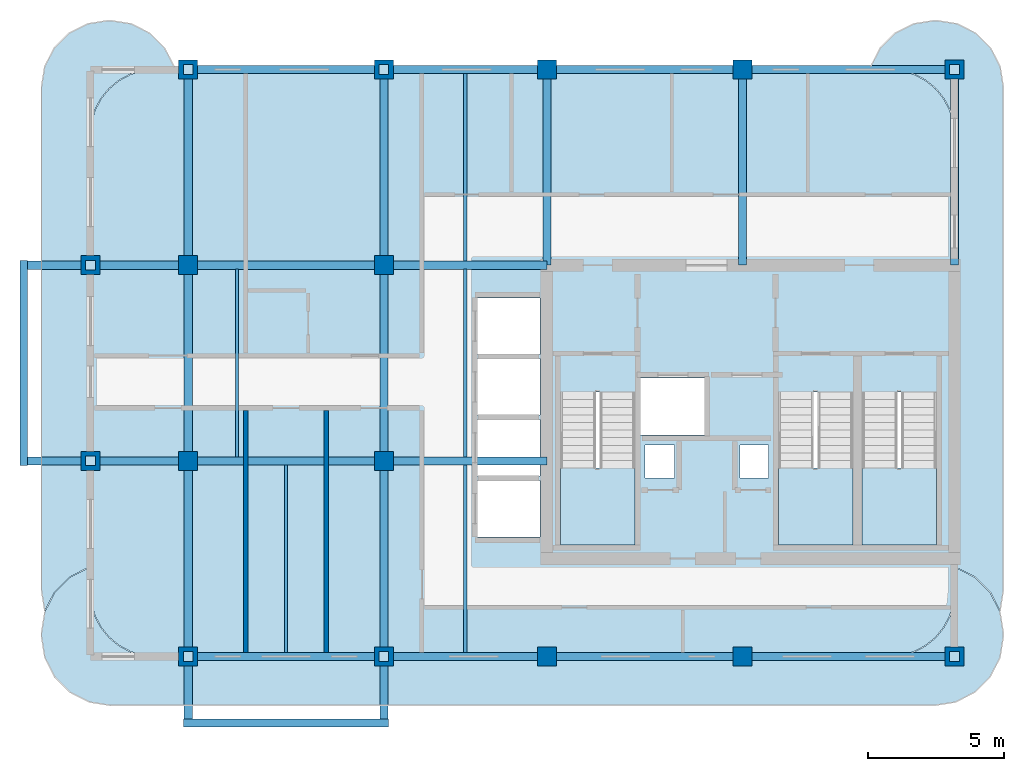
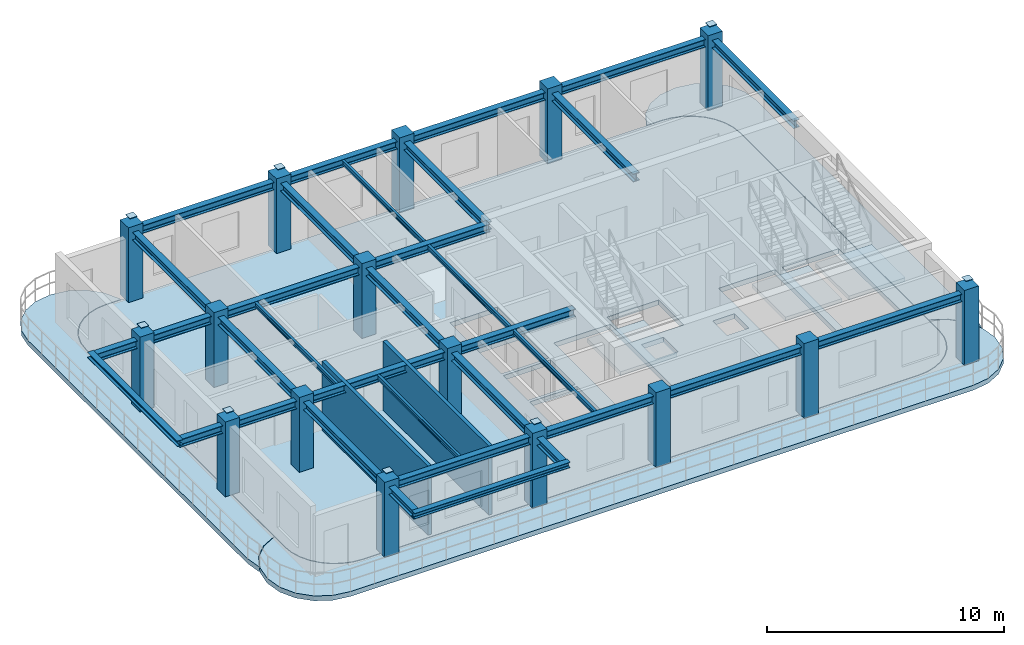
# One storey, part 1 of 7: 28 beams, 16 columns, 8 plates, 7 slabs, 2 walls, 3 elements without a shape of their own.
"""IFC4 building model written with IfcOpenShell, lengths in metres."""

from ifc_helpers import new_model, si_unit, derived_unit, direction, frame, frame_2d, origin, origin_2d, place, context, subcontext, project, spatial, polyline, rectangle, i_section, outline, extrude, source, transform, mapped, material, layer, layer_set, material_profile, profile_set, type_object, type_shapes, element, aggregate, save


model = new_model("IFC4")

# Units and contexts
model_context = context("Model", 3, precision=1e-05, world=origin(), true_north=direction((0.0, 1.0)))
body_context = subcontext(model_context, "Body", "Model", "MODEL_VIEW")
ifc_project = project(units=[si_unit("LENGTHUNIT", "METRE"), si_unit("AREAUNIT", "SQUARE_METRE"), si_unit("VOLUMEUNIT", "CUBIC_METRE"), si_unit("PLANEANGLEUNIT", "RADIAN"), si_unit("MASSUNIT", "GRAM", prefix="KILO"), si_unit("THERMODYNAMICTEMPERATUREUNIT", "KELVIN"), si_unit("POWERUNIT", "WATT"), derived_unit("THERMALTRANSMITTANCEUNIT", [(si_unit("POWERUNIT", "WATT"), 1), (si_unit("AREAUNIT", "SQUARE_METRE"), -1), (si_unit("THERMODYNAMICTEMPERATUREUNIT", "KELVIN"), -1)])], contexts=[model_context])

# Site, building, storey
site_placement = place(None, origin())
site = spatial("IfcSite", under=ifc_project, at=site_placement, CompositionType="ELEMENT")
building_placement = place(site_placement, origin())
building = spatial("IfcBuilding", under=site, at=building_placement, Name="Zahravan Archway Hotel and Residences", CompositionType="ELEMENT")
storey_placement = place(building_placement, frame((0.0, 0.0, 290.449951171875)))
storey = spatial("IfcBuildingStorey", under=building, at=storey_placement, Name="L73", CompositionType="ELEMENT", Elevation=290.449951171875)

# Columns
ifc_material_1 = material(Name="Concrete C50/60", Category="concrete")
ifc_material_profile_1 = material_profile(ifc_material_1, rectangle(XDim=0.699951171875, YDim=0.699951171875, at=origin_2d()), Name="RC-COL-700x700", Category="concrete")
ifc_profile_set_1 = profile_set([ifc_material_profile_1], Name="Concrete C50/60")
column_type = type_object("IfcColumnType", Name="COL-RC-700", PredefinedType="COLUMN", material=ifc_profile_set_1)
shared_shape_1 = source(origin(), body_context, "Body", "SweptSolid", [
    extrude(rectangle(XDim=0.699951171875, YDim=0.699951171875, at=origin_2d()), origin(), (0.0, 0.0, 1.0), 3.85009765625),
])
for number, where, z_axis, x_axis, name in (
    (1, (21.60009765625, 0.0, 0.0), (0.0, 0.0, 1.0), (1.0, 0.0, 0.0), "L73 Column 4-A"),
    (2, (21.60009765625, 7.199951171875, 0.0), (0.0, 0.0, 1.0), (1.0, 0.0, 0.0), "L73 Column 4-B"),
    (3, (21.60009765625, 14.39990234375, 0.0), (0.0, 0.0, 1.0), (1.0, 0.0, 0.0), "L73 Column 4-C"),
    (4, (21.60009765625, 21.60009765625, 0.0), (0.0, 0.0, 1.0), (1.0, 0.0, 0.0), "L73 Column 4-D"),
    (5, (28.800048828125, 0.0, 0.0), (0.0, 0.0, 1.0), (1.0, 0.0, 0.0), "L73 Column 5-A"),
    (6, (28.800048828125, 7.199951171875, 0.0), (0.0, 0.0, 1.0), (1.0, 0.0, 0.0), "L73 Column 5-B"),
    (7, (28.800048828125, 14.39990234375, 0.0), (0.0, 0.0, 1.0), (1.0, 0.0, 0.0), "L73 Column 5-C"),
    (8, (28.800048828125, 21.60009765625, 0.0), (0.0, 0.0, 1.0), (1.0, 0.0, 0.0), "L73 Column 5-D"),
    (9, (34.800048828125, 0.0, 0.0), (0.0, 0.0, 1.0), (1.0, 0.0, 0.0), "L73 Column 6-A"),
    (10, (34.800048828125, 21.60009765625, 0.0), (0.0, 0.0, 1.0), (1.0, 0.0, 0.0), "L73 Column 6-D"),
    (11, (42.0, 0.0, 0.0), (0.0, 0.0, 1.0), (1.0, 0.0, 0.0), "L73 Column 7-A"),
    (12, (42.0, 21.60009765625, 0.0), (0.0, 0.0, 1.0), (1.0, 0.0, 0.0), "L73 Column 7-D"),
    (13, (49.800048828125, 0.0, 0.0), (0.0, 0.0, 1.0), (1.0, 0.0, 0.0), "L73 Column 8-A"),
    (14, (49.800048828125, 21.60009765625, 0.0), (0.0, 0.0, 1.0), (1.0, 0.0, 0.0), "L73 Column 8-D"),
    (15, (18.0, 7.199951171875, 0.0), (0.0, 0.0, 1.0), (1.0, 0.0, 0.0), "L73 Column 3W-B"),
    (16, (18.0, 14.39990234375, 0.0), (0.0, 0.0, 1.0), (1.0, 0.0, 0.0), "L73 Column 3W-C"),
):
    element("IfcColumn", number, at=place(storey_placement, frame(where, z_axis=z_axis, x_axis=x_axis)), inside=storey, type_object=column_type, Name=name, PredefinedType="COLUMN", context=body_context, shape_type="MappedRepresentation", body=[
        mapped(shared_shape_1, transform((0.0, 0.0, 0.0), scale=1.0)),
    ])

# Beams
ifc_material_2 = material(Name="Structural Steel S355JR", Category="steel")
ifc_material_profile_2 = material_profile(ifc_material_2, i_section(OverallWidth=0.280029296875, OverallDepth=0.280029296875, WebThickness=0.010498046875, FlangeThickness=0.01806640625, FilletRadius=0.02392578125, at=origin_2d()), Name="HEB 280", Category="steel")
ifc_profile_set_2 = profile_set([ifc_material_profile_2], Name="Structural Steel S355JR")
beam_type_1 = type_object("IfcBeamType", Name="BM-SPN-HEB280", PredefinedType="SPANDREL", material=ifc_profile_set_2)
shared_shape_2 = source(origin(), body_context, "Body", "SweptSolid", [
    extrude(i_section(OverallWidth=0.280029296875, OverallDepth=0.280029296875, WebThickness=0.010498046875, FlangeThickness=0.01806640625, FilletRadius=0.02392578125, at=origin_2d()), origin(), (0.0, 0.0, 1.0), 7.56005859375),
])
type_shapes(beam_type_1, [shared_shape_2])
for number, where, z_axis, x_axis, name in (
    (17, (15.550048828125, 7.02001953125, 3.41015625), (0.0, 1.0, 0.0), (-1.0, 0.0, 0.0), "L74 WA Balcony Edge Spandrel"),
    (18, (21.419921875, -2.449951171875, 3.41015625), (1.0, 0.0, 0.0), (0.0, 1.0, 0.0), "L74 SA Balcony Edge Spandrel"),
):
    element("IfcBeam", number, at=place(storey_placement, frame(where, z_axis=z_axis, x_axis=x_axis)), inside=storey, type_object=beam_type_1, Name=name, PredefinedType="SPANDREL", context=body_context, shape_type="MappedRepresentation", body=[
        mapped(shared_shape_2, transform((0.0, 0.0, 0.0), scale=1.0)),
    ])
ifc_material_profile_3 = material_profile(ifc_material_2, i_section(OverallWidth=0.300048828125, OverallDepth=0.39990234375, WebThickness=0.013427734375, FlangeThickness=0.02392578125, FilletRadius=0.027099609375, at=origin_2d()), Name="HEB 400", Category="steel")
ifc_profile_set_3 = profile_set([ifc_material_profile_3], Name="Structural Steel S355JR")
beam_type_2 = type_object("IfcBeamType", Name="BM-PRI-HEB400", PredefinedType="BEAM", material=ifc_profile_set_3)
shared_shape_3 = source(origin(), body_context, "Body", "SweptSolid", [
    extrude(i_section(OverallWidth=0.300048828125, OverallDepth=0.39990234375, WebThickness=0.013427734375, FlangeThickness=0.02392578125, FilletRadius=0.027099609375, at=origin_2d()), origin(), (0.0, 0.0, 1.0), 7.199951171875),
])
type_shapes(beam_type_2, [shared_shape_3])
for number, where, z_axis, x_axis, name in (
    (19, (21.60009765625, 0.0, 3.35009765625), (1.0, 0.0, 0.0), (0.0, 1.0, 0.0), "L73 Primary Girder EW-01"),
    (20, (34.800048828125, 0.0, 3.35009765625), (1.0, 0.0, 0.0), (0.0, 1.0, 0.0), "L73 Primary Girder EW-03"),
    (21, (21.60009765625, 21.60009765625, 3.35009765625), (1.0, 0.0, 0.0), (0.0, 1.0, 0.0), "L73 Primary Girder EW-09"),
    (22, (34.800048828125, 21.60009765625, 3.35009765625), (1.0, 0.0, 0.0), (0.0, 1.0, 0.0), "L73 Primary Girder EW-11"),
    (23, (21.60009765625, 7.199951171875, 3.35009765625), (0.0, 1.0, 0.0), (-1.0, 0.0, 0.0), "L73 Primary Girder NS-14"),
    (24, (28.800048828125, 7.199951171875, 3.35009765625), (0.0, 1.0, 0.0), (-1.0, 0.0, 0.0), "L73 Primary Girder NS-17"),
):
    element("IfcBeam", number, at=place(storey_placement, frame(where, z_axis=z_axis, x_axis=x_axis)), inside=storey, type_object=beam_type_2, Name=name, PredefinedType="BEAM", context=body_context, shape_type="MappedRepresentation", body=[
        mapped(shared_shape_3, transform((0.0, 0.0, 0.0), scale=1.0)),
    ])
shared_shape_4 = source(origin(), body_context, "Body", "SweptSolid", [
    extrude(i_section(OverallWidth=0.300048828125, OverallDepth=0.39990234375, WebThickness=0.013427734375, FlangeThickness=0.02392578125, FilletRadius=0.027099609375, at=origin_2d()), origin(), (0.0, 0.0, 1.0), 6.0),
])
for number, where, z_axis, x_axis, name in (
    (25, (28.800048828125, 0.0, 3.35009765625), (1.0, 0.0, 0.0), (0.0, 1.0, 0.0), "L73 Primary Girder EW-02"),
    (26, (28.800048828125, 7.199951171875, 3.35009765625), (1.0, 0.0, 0.0), (0.0, 1.0, 0.0), "L73 Primary Girder EW-06"),
    (27, (28.800048828125, 14.39990234375, 3.35009765625), (1.0, 0.0, 0.0), (0.0, 1.0, 0.0), "L73 Primary Girder EW-08"),
    (28, (28.800048828125, 21.60009765625, 3.35009765625), (1.0, 0.0, 0.0), (0.0, 1.0, 0.0), "L73 Primary Girder EW-10"),
):
    element("IfcBeam", number, at=place(storey_placement, frame(where, z_axis=z_axis, x_axis=x_axis)), inside=storey, type_object=beam_type_2, Name=name, PredefinedType="BEAM", context=body_context, shape_type="MappedRepresentation", body=[
        mapped(shared_shape_4, transform((0.0, 0.0, 0.0), scale=1.0)),
    ])
shared_shape_5 = source(origin(), body_context, "Body", "SweptSolid", [
    extrude(i_section(OverallWidth=0.300048828125, OverallDepth=0.39990234375, WebThickness=0.013427734375, FlangeThickness=0.02392578125, FilletRadius=0.027099609375, at=origin_2d()), origin(), (0.0, 0.0, 1.0), 7.800048828125),
])
for number, where, z_axis, x_axis, name in (
    (29, (42.0, 0.0, 3.35009765625), (1.0, 0.0, 0.0), (0.0, 1.0, 0.0), "L73 Primary Girder EW-04"),
    (30, (42.0, 21.60009765625, 3.35009765625), (1.0, 0.0, 0.0), (0.0, 1.0, 0.0), "L73 Primary Girder EW-12"),
):
    element("IfcBeam", number, at=place(storey_placement, frame(where, z_axis=z_axis, x_axis=x_axis)), inside=storey, type_object=beam_type_2, Name=name, PredefinedType="BEAM", context=body_context, shape_type="MappedRepresentation", body=[
        mapped(shared_shape_5, transform((0.0, 0.0, 0.0), scale=1.0)),
    ])
shared_shape_6 = source(origin(), body_context, "Body", "SweptSolid", [
    extrude(i_section(OverallWidth=0.300048828125, OverallDepth=0.39990234375, WebThickness=0.013427734375, FlangeThickness=0.02392578125, FilletRadius=0.027099609375, at=origin_2d()), origin(), (0.0, 0.0, 1.0), 13.25),
])
for number, where, z_axis, x_axis, name in (
    (31, (15.550048828125, 7.199951171875, 3.35009765625), (1.0, 0.0, 0.0), (0.0, 1.0, 0.0), "L73 Primary Girder EW-05"),
    (32, (15.550048828125, 14.39990234375, 3.35009765625), (1.0, 0.0, 0.0), (0.0, 1.0, 0.0), "L73 Primary Girder EW-07"),
):
    element("IfcBeam", number, at=place(storey_placement, frame(where, z_axis=z_axis, x_axis=x_axis)), inside=storey, type_object=beam_type_2, Name=name, PredefinedType="BEAM", context=body_context, shape_type="MappedRepresentation", body=[
        mapped(shared_shape_6, transform((0.0, 0.0, 0.0), scale=1.0)),
    ])
shared_shape_7 = source(origin(), body_context, "Body", "SweptSolid", [
    extrude(i_section(OverallWidth=0.300048828125, OverallDepth=0.39990234375, WebThickness=0.013427734375, FlangeThickness=0.02392578125, FilletRadius=0.027099609375, at=origin_2d()), origin(), (0.0, 0.0, 1.0), 9.64990234375),
])
for number, where, z_axis, x_axis, name in (
    (33, (21.60009765625, -2.449951171875, 3.35009765625), (0.0, 1.0, 0.0), (-1.0, 0.0, 0.0), "L73 Primary Girder NS-13"),
    (34, (28.800048828125, -2.449951171875, 3.35009765625), (0.0, 1.0, 0.0), (-1.0, 0.0, 0.0), "L73 Primary Girder NS-16"),
):
    element("IfcBeam", number, at=place(storey_placement, frame(where, z_axis=z_axis, x_axis=x_axis)), inside=storey, type_object=beam_type_2, Name=name, PredefinedType="BEAM", context=body_context, shape_type="MappedRepresentation", body=[
        mapped(shared_shape_7, transform((0.0, 0.0, 0.0), scale=1.0)),
    ])
shared_shape_8 = source(origin(), body_context, "Body", "SweptSolid", [
    extrude(i_section(OverallWidth=0.300048828125, OverallDepth=0.39990234375, WebThickness=0.013427734375, FlangeThickness=0.02392578125, FilletRadius=0.027099609375, at=origin_2d()), origin(), (0.0, 0.0, 1.0), 7.2001953125),
])
for number, where, z_axis, x_axis, name in (
    (35, (21.60009765625, 14.39990234375, 3.35009765625), (0.0, 1.0, 0.0), (-1.0, 0.0, 0.0), "L73 Primary Girder NS-15"),
    (36, (28.800048828125, 14.39990234375, 3.35009765625), (0.0, 1.0, 0.0), (-1.0, 0.0, 0.0), "L73 Primary Girder NS-18"),
    (37, (34.800048828125, 14.39990234375, 3.35009765625), (0.0, 1.0, 0.0), (-1.0, 0.0, 0.0), "L73 Primary Girder NS-19"),
    (38, (42.0, 14.39990234375, 3.35009765625), (0.0, 1.0, 0.0), (-1.0, 0.0, 0.0), "L73 Primary Girder NS-20"),
    (39, (49.800048828125, 14.39990234375, 3.35009765625), (0.0, 1.0, 0.0), (-1.0, 0.0, 0.0), "L73 Primary Girder NS-21"),
):
    element("IfcBeam", number, at=place(storey_placement, frame(where, z_axis=z_axis, x_axis=x_axis)), inside=storey, type_object=beam_type_2, Name=name, PredefinedType="BEAM", context=body_context, shape_type="MappedRepresentation", body=[
        mapped(shared_shape_8, transform((0.0, 0.0, 0.0), scale=1.0)),
    ])
ifc_material_profile_4 = material_profile(ifc_material_2, i_section(OverallWidth=0.1201171875, OverallDepth=0.239990234375, WebThickness=0.006103515625, FlangeThickness=0.009765625, FilletRadius=0.014892578125, at=origin_2d()), Name="IPE 240", Category="steel")
ifc_profile_set_4 = profile_set([ifc_material_profile_4], Name="Structural Steel S355JR")
beam_type_3 = type_object("IfcBeamType", Name="BM-JST-IPE240", PredefinedType="JOIST", material=ifc_profile_set_4)
shared_shape_9 = source(origin(), body_context, "Body", "SweptSolid", [
    extrude(i_section(OverallWidth=0.1201171875, OverallDepth=0.239990234375, WebThickness=0.006103515625, FlangeThickness=0.009765625, FilletRadius=0.014892578125, at=origin_2d()), origin(), (0.0, 0.0, 1.0), 6.904052734375),
])
type_shapes(beam_type_3, [shared_shape_9])
for number, where, z_axis, x_axis, name in (
    (40, (25.199951171875, 0.14794921875, 3.429931640625), (0.0, 1.0, 0.0), (-1.0, 0.0, 0.0), "L73 Composite Floor Joist 01"),
    (41, (31.800048828125, 0.14794921875, 3.429931640625), (0.0, 1.0, 0.0), (-1.0, 0.0, 0.0), "L73 Composite Floor Joist 02"),
    (42, (23.39990234375, 7.347900390625, 3.429931640625), (0.0, 1.0, 0.0), (-1.0, 0.0, 0.0), "L73 Composite Floor Joist 03"),
    (43, (31.800048828125, 7.347900390625, 3.429931640625), (0.0, 1.0, 0.0), (-1.0, 0.0, 0.0), "L73 Composite Floor Joist 04"),
):
    element("IfcBeam", number, at=place(storey_placement, frame(where, z_axis=z_axis, x_axis=x_axis)), inside=storey, type_object=beam_type_3, Name=name, PredefinedType="JOIST", context=body_context, shape_type="MappedRepresentation", body=[
        mapped(shared_shape_9, transform((0.0, 0.0, 0.0), scale=1.0)),
    ])
shared_shape_10 = source(origin(), body_context, "Body", "SweptSolid", [
    extrude(i_section(OverallWidth=0.1201171875, OverallDepth=0.239990234375, WebThickness=0.006103515625, FlangeThickness=0.009765625, FilletRadius=0.014892578125, at=origin_2d()), origin(), (0.0, 0.0, 1.0), 6.90380859375),
])
beam_placement = place(storey_placement, frame((31.800048828125, 14.548095703125, 3.429931640625), z_axis=(0.0, 1.0, 0.0), x_axis=(-1.0, 0.0, 0.0)))
element("IfcBeam", 44, at=beam_placement, inside=storey, type_object=beam_type_3, Name="L73 Composite Floor Joist 05", PredefinedType="JOIST", context=body_context, shape_type="MappedRepresentation", body=[
    mapped(shared_shape_10, transform((0.0, 0.0, 0.0), scale=1.0)),
])

# Slabs
ifc_material_3 = material(Name="Concrete C45/55", Category="concrete")
ifc_layer_1 = layer(ifc_material_3, 0.25, Name="Concrete C45/55", Category="concrete")
ifc_layer_set_1 = layer_set([ifc_layer_1], Name="Concrete C45/55")
slab_type_1 = type_object("IfcSlabType", Name="SLB-BALC-250", PredefinedType="FLOOR", material=ifc_layer_set_1)
slab_1_placement = place(storey_placement, frame((0.0, 0.0, -0.25)))
element("IfcSlab", 45, at=slab_1_placement, inside=storey, type_object=slab_type_1, Name="L73 Wing A South Rounded Balcony Band", PredefinedType="FLOOR", context=body_context, shape_type="SweptSolid", body=[
    extrude(outline(polyline([(49.837890625, 3.275146484375), (50.548828125, 2.9130859375), (51.113037109375, 2.348876953125), (51.47509765625, 1.637939453125), (51.60009765625, 0.85009765625), (51.60009765625, 0.75), (51.47509765625, -0.0380859375), (51.113037109375, -0.748779296875), (50.548828125, -1.31298828125), (49.837890625, -1.67529296875), (49.050048828125, -1.800048828125), (18.75, -1.800048828125), (17.9619140625, -1.67529296875), (17.251220703125, -1.31298828125), (16.68701171875, -0.748779296875), (16.32470703125, -0.0380859375), (16.199951171875, 0.75), (16.199951171875, 0.85009765625), (16.32470703125, 1.637939453125), (16.68701171875, 2.348876953125), (17.251220703125, 2.9130859375), (17.9619140625, 3.275146484375), (17.97998046875, 3.278076171875), (17.97998046875, 2.39990234375), (17.97998046875, 2.39794921875), (18.026123046875, 1.9296875), (18.026611328125, 1.927978515625), (18.027099609375, 1.926025390625), (18.16357421875, 1.475830078125), (18.164306640625, 1.473876953125), (18.1650390625, 1.47216796875), (18.386962890625, 1.05712890625), (18.387939453125, 1.055419921875), (18.388916015625, 1.053955078125), (18.6875, 0.690185546875), (18.688720703125, 0.688720703125), (18.690185546875, 0.6875), (19.053955078125, 0.388916015625), (19.055419921875, 0.387939453125), (19.05712890625, 0.386962890625), (19.47216796875, 0.1650390625), (19.473876953125, 0.164306640625), (19.475830078125, 0.16357421875), (19.926025390625, 0.027099609375), (19.927978515625, 0.026611328125), (19.9296875, 0.026123046875), (20.39794921875, -0.02001953125), (20.39990234375, -0.02001953125), (47.39990234375, -0.02001953125), (47.402099609375, -0.02001953125), (47.8701171875, 0.026123046875), (47.8720703125, 0.026611328125), (47.8740234375, 0.027099609375), (48.32421875, 0.16357421875), (48.326171875, 0.164306640625), (48.327880859375, 0.1650390625), (48.742919921875, 0.386962890625), (48.744384765625, 0.387939453125), (48.74609375, 0.388916015625), (49.10986328125, 0.6875), (49.111083984375, 0.688720703125), (49.112548828125, 0.690185546875), (49.410888671875, 1.053955078125), (49.412109375, 1.055419921875), (49.4130859375, 1.05712890625), (49.635009765625, 1.47216796875), (49.6357421875, 1.473876953125), (49.636474609375, 1.475830078125), (49.77294921875, 1.926025390625), (49.7734375, 1.927978515625), (49.773681640625, 1.9296875), (49.81982421875, 2.39794921875), (49.820068359375, 2.39990234375), (49.820068359375, 3.278076171875), (49.837890625, 3.275146484375)])), origin(), (0.0, 0.0, 1.0), 0.25),
])
slab_2_placement = place(storey_placement, frame((0.0, 0.0, -0.25)))
element("IfcSlab", 46, at=slab_2_placement, inside=storey, type_object=slab_type_1, Name="L73 Wing A East Rounded Balcony Band", PredefinedType="FLOOR", context=body_context, shape_type="SweptSolid", body=[
    extrude(outline(polyline([(46.719970703125, 21.70703125), (47.06787109375, 22.39013671875), (47.60986328125, 22.93212890625), (48.29296875, 23.280029296875), (49.050048828125, 23.39990234375), (49.14990234375, 23.39990234375), (49.906982421875, 23.280029296875), (50.590087890625, 22.93212890625), (51.132080078125, 22.39013671875), (51.47998046875, 21.70703125), (51.60009765625, 20.949951171875), (51.60009765625, 2.449951171875), (51.47998046875, 1.69287109375), (51.474853515625, 1.6826171875), (51.130859375, 2.35791015625), (51.1298828125, 2.35986328125), (51.12841796875, 2.361572265625), (51.127197265625, 2.363037109375), (50.56298828125, 2.927001953125), (50.5615234375, 2.928466796875), (50.559814453125, 2.9296875), (50.55810546875, 2.930908203125), (49.84716796875, 3.29296875), (49.84521484375, 3.2939453125), (49.84326171875, 3.29443359375), (49.841064453125, 3.294921875), (49.822998046875, 3.2978515625), (49.8212890625, 3.298095703125), (49.820068359375, 3.298095703125), (49.820068359375, 19.199951171875), (49.81982421875, 19.201904296875), (49.773681640625, 19.670166015625), (49.7734375, 19.672119140625), (49.77294921875, 19.674072265625), (49.636474609375, 20.124267578125), (49.6357421875, 20.126220703125), (49.635009765625, 20.127685546875), (49.4130859375, 20.542724609375), (49.412109375, 20.54443359375), (49.410888671875, 20.546142578125), (49.112548828125, 20.909912109375), (49.111083984375, 20.9111328125), (49.10986328125, 20.91259765625), (48.74609375, 21.2109375), (48.744384765625, 21.212158203125), (48.742919921875, 21.213134765625), (48.327880859375, 21.434814453125), (48.326171875, 21.435791015625), (48.32421875, 21.436279296875), (47.8740234375, 21.572998046875), (47.8720703125, 21.573486328125), (47.8701171875, 21.57373046875), (47.402099609375, 21.619873046875), (47.39990234375, 21.6201171875), (46.7060546875, 21.6201171875), (46.719970703125, 21.70703125)])), origin(), (0.0, 0.0, 1.0), 0.25),
])
slab_3_placement = place(storey_placement, frame((0.0, 0.0, -0.25)))
element("IfcSlab", 47, at=slab_3_placement, inside=storey, type_object=slab_type_1, Name="L73 Wing A West Rounded Balcony Band", PredefinedType="FLOOR", context=body_context, shape_type="SweptSolid", body=[
    extrude(outline(polyline([(16.31982421875, 1.69287109375), (16.199951171875, 2.449951171875), (16.199951171875, 20.949951171875), (16.31982421875, 21.70703125), (16.66796875, 22.39013671875), (17.2099609375, 22.93212890625), (17.892822265625, 23.280029296875), (18.64990234375, 23.39990234375), (18.75, 23.39990234375), (19.507080078125, 23.280029296875), (20.190185546875, 22.93212890625), (20.732177734375, 22.39013671875), (21.080078125, 21.70703125), (21.093994140625, 21.6201171875), (20.39990234375, 21.6201171875), (20.39794921875, 21.619873046875), (19.9296875, 21.57373046875), (19.927978515625, 21.573486328125), (19.926025390625, 21.572998046875), (19.475830078125, 21.436279296875), (19.473876953125, 21.435791015625), (19.47216796875, 21.434814453125), (19.05712890625, 21.213134765625), (19.055419921875, 21.212158203125), (19.053955078125, 21.2109375), (18.690185546875, 20.91259765625), (18.688720703125, 20.9111328125), (18.6875, 20.909912109375), (18.388916015625, 20.546142578125), (18.387939453125, 20.54443359375), (18.386962890625, 20.542724609375), (18.1650390625, 20.127685546875), (18.164306640625, 20.126220703125), (18.16357421875, 20.124267578125), (18.027099609375, 19.674072265625), (18.026611328125, 19.672119140625), (18.026123046875, 19.670166015625), (17.97998046875, 19.201904296875), (17.97998046875, 19.199951171875), (17.97998046875, 3.298095703125), (17.978759765625, 3.298095703125), (17.976806640625, 3.2978515625), (17.958984375, 3.294921875), (17.956787109375, 3.29443359375), (17.954833984375, 3.2939453125), (17.952880859375, 3.29296875), (17.241943359375, 2.930908203125), (17.240234375, 2.9296875), (17.238525390625, 2.928466796875), (17.237060546875, 2.927001953125), (16.6728515625, 2.363037109375), (16.67138671875, 2.361572265625), (16.670166015625, 2.35986328125), (16.669189453125, 2.35791015625), (16.3251953125, 1.6826171875), (16.31982421875, 1.69287109375)])), origin(), (0.0, 0.0, 1.0), 0.25),
])
ifc_layer_2 = layer(ifc_material_3, 0.25, Name="Concrete C45/55", Category="concrete")
ifc_layer_set_2 = layer_set([ifc_layer_2], Name="Concrete C45/55")
slab_type_2 = type_object("IfcSlabType", Name="SLB-FLR-250", PredefinedType="FLOOR", material=ifc_layer_set_2)
slab_4_placement = place(storey_placement, frame((0.0, 0.0, -0.25)))
element("IfcSlab", 48, at=slab_4_placement, inside=storey, type_object=slab_type_2, Name="L73 Floor Slab WA", PredefinedType="FLOOR", context=body_context, shape_type="SweptSolid", body=[
    extrude(outline(polyline([(47.39990234375, 0.0), (47.8681640625, 0.046142578125), (48.318359375, 0.1826171875), (48.7333984375, 0.404541015625), (49.09716796875, 0.702880859375), (49.3955078125, 1.066650390625), (49.6171875, 1.481689453125), (49.75390625, 1.931884765625), (49.800048828125, 2.39990234375), (49.800048828125, 19.199951171875), (49.75390625, 19.668212890625), (49.6171875, 20.118408203125), (49.3955078125, 20.533447265625), (49.09716796875, 20.897216796875), (48.7333984375, 21.195556640625), (48.318359375, 21.417236328125), (47.8681640625, 21.553955078125), (47.39990234375, 21.60009765625), (20.39990234375, 21.60009765625), (19.931884765625, 21.553955078125), (19.481689453125, 21.417236328125), (19.066650390625, 21.195556640625), (18.702880859375, 20.897216796875), (18.404541015625, 20.533447265625), (18.1826171875, 20.118408203125), (18.046142578125, 19.668212890625), (18.0, 19.199951171875), (18.0, 2.39990234375), (18.046142578125, 1.931884765625), (18.1826171875, 1.481689453125), (18.404541015625, 1.066650390625), (18.702880859375, 0.702880859375), (19.066650390625, 0.404541015625), (19.481689453125, 0.1826171875), (19.931884765625, 0.046142578125), (20.39990234375, 0.0), (47.39990234375, 0.0)]), holes=[polyline([(35.300048828125, 9.72998046875), (35.300048828125, 4.10009765625), (38.0400390625, 4.10009765625), (38.0400390625, 9.72998046875), (35.300048828125, 9.72998046875)]), polyline([(43.320068359375, 9.72998046875), (43.320068359375, 4.10009765625), (46.06005859375, 4.10009765625), (46.06005859375, 9.72998046875), (43.320068359375, 9.72998046875)]), polyline([(46.39990234375, 9.72998046875), (46.39990234375, 4.10009765625), (49.139892578125, 4.10009765625), (49.139892578125, 9.72998046875), (46.39990234375, 9.72998046875)]), polyline([(38.179931640625, 8.14990234375), (40.699951171875, 8.14990234375), (40.699951171875, 10.25), (38.179931640625, 10.25), (38.179931640625, 8.14990234375)]), polyline([(32.25, 4.39990234375), (34.550048828125, 4.39990234375), (34.550048828125, 6.47998046875), (32.25, 6.47998046875), (32.25, 4.39990234375)]), polyline([(32.25, 6.639892578125), (34.550048828125, 6.639892578125), (34.550048828125, 8.719970703125), (32.25, 8.719970703125), (32.25, 6.639892578125)]), polyline([(32.25, 8.8798828125), (34.550048828125, 8.8798828125), (34.550048828125, 10.9599609375), (32.25, 10.9599609375), (32.25, 8.8798828125)]), polyline([(32.25, 11.1201171875), (34.550048828125, 11.1201171875), (34.550048828125, 13.199951171875), (32.25, 13.199951171875), (32.25, 11.1201171875)]), polyline([(38.419921875, 6.56005859375), (39.5, 6.56005859375), (39.5, 7.780029296875), (38.419921875, 7.780029296875), (38.419921875, 6.56005859375)]), polyline([(41.89990234375, 6.56005859375), (42.9599609375, 6.56005859375), (42.9599609375, 7.780029296875), (41.89990234375, 7.780029296875), (41.89990234375, 6.56005859375)])]), origin(), (0.0, 0.0, 1.0), 0.25),
])

# Stair, slab
stair_type = type_object("IfcStairType", Name="STR-CORE-1300", PredefinedType="HALF_TURN_STAIR", material=ifc_material_1)
stair_1_placement = place(storey_placement, origin())
stair_1 = element("IfcStair", 49, at=stair_1_placement, inside=storey, type_object=stair_type, Name="L73 Core A Exit Stair 1", PredefinedType="HALF_TURN_STAIR")
ifc_layer_3 = layer(ifc_material_1, 0.199951171875, Name="Concrete C50/60", Category="concrete")
ifc_layer_set_3 = layer_set([ifc_layer_3], Name="Concrete C50/60")
slab_type_3 = type_object("IfcSlabType", Name="SLB-LND-200", PredefinedType="LANDING", material=ifc_layer_set_3)
slab_5_placement = place(storey_placement, frame((0.0, 0.0, 1.72509765625)))
slab_5 = element("IfcSlab", 50, at=slab_5_placement, type_object=slab_type_3, Name="ST-A1 landing 1", PredefinedType="LANDING", context=body_context, shape_type="SweptSolid", body=[
    extrude(outline(polyline([(35.300048828125, 6.929931640625), (35.300048828125, 4.10009765625), (38.0400390625, 4.10009765625), (38.0400390625, 6.929931640625), (35.300048828125, 6.929931640625)])), origin(), (0.0, 0.0, 1.0), 0.199951171875),
])
aggregate(stair_1, [slab_5])

stair_2_placement = place(storey_placement, origin())
stair_2 = element("IfcStair", 51, at=stair_2_placement, inside=storey, type_object=stair_type, Name="L73 Core A Exit Stair 2", PredefinedType="HALF_TURN_STAIR")
slab_6_placement = place(storey_placement, frame((0.0, 0.0, 1.72509765625)))
slab_6 = element("IfcSlab", 52, at=slab_6_placement, type_object=slab_type_3, Name="ST-A2 landing 1", PredefinedType="LANDING", context=body_context, shape_type="SweptSolid", body=[
    extrude(outline(polyline([(43.320068359375, 6.929931640625), (43.320068359375, 4.10009765625), (46.06005859375, 4.10009765625), (46.06005859375, 6.929931640625), (43.320068359375, 6.929931640625)])), origin(), (0.0, 0.0, 1.0), 0.199951171875),
])
aggregate(stair_2, [slab_6])

stair_3_placement = place(storey_placement, origin())
stair_3 = element("IfcStair", 53, at=stair_3_placement, inside=storey, type_object=stair_type, Name="L73 Core A Exit Stair 3", PredefinedType="HALF_TURN_STAIR")
slab_7_placement = place(storey_placement, frame((0.0, 0.0, 1.72509765625)))
slab_7 = element("IfcSlab", 54, at=slab_7_placement, type_object=slab_type_3, Name="ST-A3 landing 1", PredefinedType="LANDING", context=body_context, shape_type="SweptSolid", body=[
    extrude(outline(polyline([(46.39990234375, 6.929931640625), (46.39990234375, 4.10009765625), (49.139892578125, 4.10009765625), (49.139892578125, 6.929931640625), (46.39990234375, 6.929931640625)])), origin(), (0.0, 0.0, 1.0), 0.199951171875),
])
aggregate(stair_3, [slab_7])

# Plates
ifc_material_4 = material(Name="Structural Steel S355J2", Category="steel")
ifc_layer_4 = layer(ifc_material_4, 0.02490234375, Name="Structural Steel S355J2", Category="steel")
ifc_layer_set_4 = layer_set([ifc_layer_4], Name="Structural Steel S355J2")
plate_type = type_object("IfcPlateType", Name="PLT-CAP-ECP1", PredefinedType="SHEET", material=ifc_layer_set_4)
shared_shape_11 = source(origin(), body_context, "Body", "SweptSolid", [
    extrude(rectangle(XDim=0.360107421875, YDim=0.360107421875, at=origin_2d()), origin(), (0.0, 0.0, 1.0), 0.02490234375),
])
type_shapes(plate_type, [shared_shape_11])
for number, where, z_axis, x_axis, name in (
    (55, (18.0, 7.199951171875, 4.1376953125), (0.0, 0.0, 1.0), (1.0, 0.0, 0.0), "Wing A Chhajja Strut Base Cleat W1"),
    (56, (18.0, 14.39990234375, 4.1376953125), (0.0, 0.0, 1.0), (1.0, 0.0, 0.0), "Wing A Chhajja Strut Base Cleat W2"),
    (57, (21.60009765625, 0.0, 4.1376953125), (0.0, 0.0, 1.0), (1.0, 0.0, 0.0), "Wing A Chhajja Strut Base Cleat S1"),
    (58, (28.800048828125, 0.0, 4.1376953125), (0.0, 0.0, 1.0), (1.0, 0.0, 0.0), "Wing A Chhajja Strut Base Cleat S2"),
    (59, (21.60009765625, 21.60009765625, 4.1376953125), (0.0, 0.0, 1.0), (1.0, 0.0, 0.0), "Wing A Chhajja Strut Base Cleat N1"),
    (60, (28.800048828125, 21.60009765625, 4.1376953125), (0.0, 0.0, 1.0), (1.0, 0.0, 0.0), "Wing A Chhajja Strut Base Cleat N2"),
    (61, (49.800048828125, 21.60009765625, 4.1376953125), (0.0, 0.0, 1.0), (1.0, 0.0, 0.0), "Wing A Chhajja Strut Base Cleat E1"),
    (62, (49.800048828125, 0.0, 4.1376953125), (0.0, 0.0, 1.0), (1.0, 0.0, 0.0), "Wing A Chhajja Strut Base Cleat E2"),
):
    element("IfcPlate", number, at=place(storey_placement, frame(where, z_axis=z_axis, x_axis=x_axis)), inside=storey, type_object=plate_type, Name=name, PredefinedType="SHEET", context=body_context, shape_type="MappedRepresentation", body=[
        mapped(shared_shape_11, transform((0.0, 0.0, 0.0), scale=1.0)),
    ])

# Walls
ifc_material_5 = material(Name="Acoustic Stud Partition")
ifc_layer_5 = layer(ifc_material_5, 0.169921875, Name="Acoustic Stud Partition")
ifc_layer_set_5 = layer_set([ifc_layer_5], Name="Acoustic Stud Partition")
wall_type = type_object("IfcWallType", Name="PW-UNIT-170", PredefinedType="PARTITIONING", material=ifc_layer_set_5)
for number, where, z_axis, x_axis, name in (
    (63, (23.719970703125, 0.14794921875, 0.0), (0.0, 0.0, 1.0), (0.0, 1.0, 0.0), "L73 Partition WAS-SBK4A"),
    (64, (26.679931640625, 0.14794921875, 0.0), (0.0, 0.0, 1.0), (0.0, 1.0, 0.0), "L73 Partition WAS-SBK4B"),
):
    element("IfcWall", number, at=place(storey_placement, frame(where, z_axis=z_axis, x_axis=x_axis)), inside=storey, type_object=wall_type, Name=name, PredefinedType="PARTITIONING", context=body_context, shape_type="SweptSolid", body=[
        extrude(rectangle(XDim=8.912109375, YDim=0.169921875, at=frame_2d((4.4560546875, 0.0))), origin(), (0.0, 0.0, 1.0), 3.550048828125),
    ])

save(model, "model.ifc")
